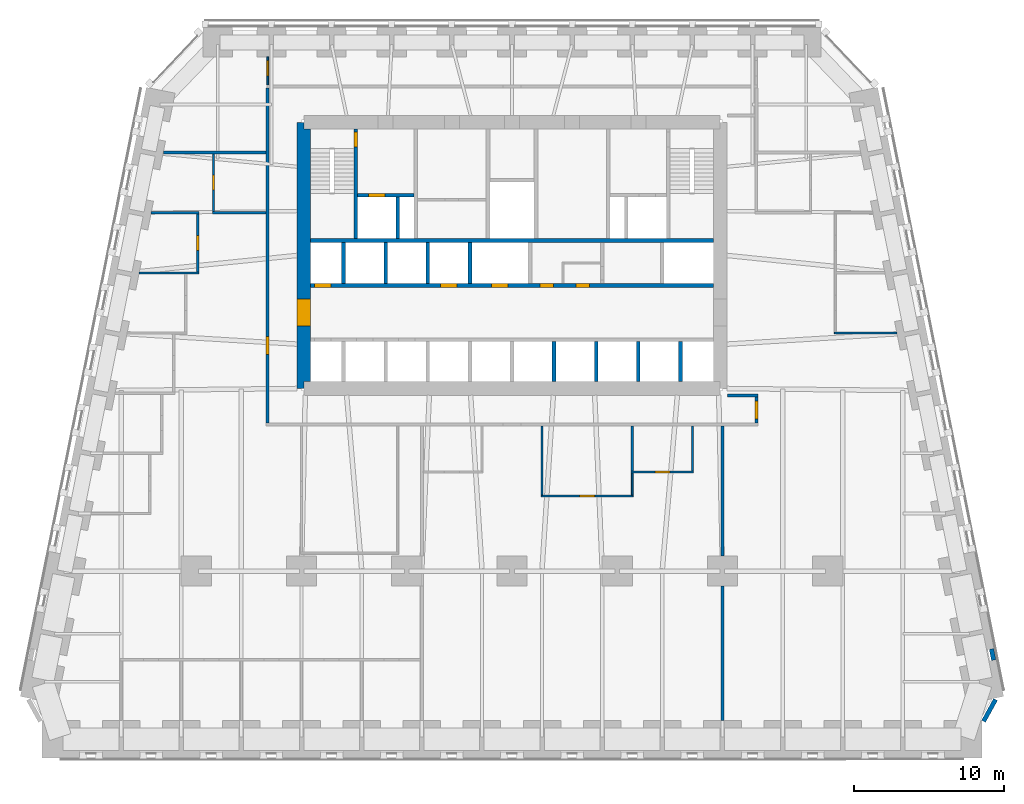
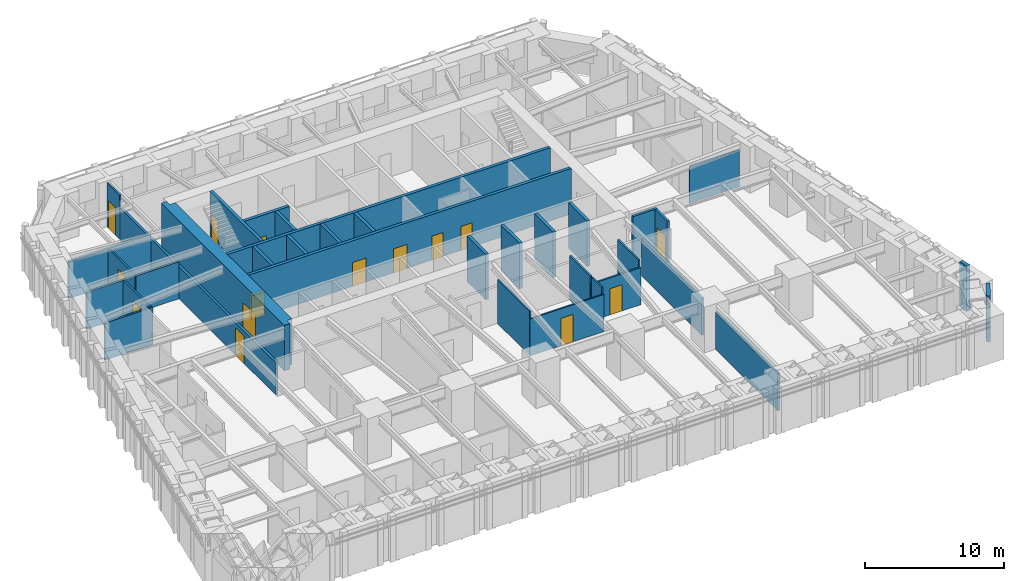
# One storey, part 13 of 17: 35 walls, 15 doors, 15 openings.
"""IFC4 building model written with IfcOpenShell, lengths in metres."""

from ifc_helpers import new_model, si_unit, direction, frame, frame_2d, origin, place, context, subcontext, project, spatial, polyline, rectangle, outline, extrude, material, layer, layer_set, type_object, element, fill, save


model = new_model("IFC4")

# Units and contexts
model_context = context("Model", 3, precision=1e-05, world=origin(), true_north=direction((0.0, 1.0)))
body_context = subcontext(model_context, "Body", "Model", "MODEL_VIEW")
ifc_project = project(units=[si_unit("LENGTHUNIT", "METRE"), si_unit("AREAUNIT", "SQUARE_METRE"), si_unit("VOLUMEUNIT", "CUBIC_METRE"), si_unit("PLANEANGLEUNIT", "RADIAN"), si_unit("MASSUNIT", "GRAM", prefix="KILO")], contexts=[model_context])

# Site, building, storey
site_placement = place(None, origin())
site = spatial("IfcSite", under=ifc_project, at=site_placement, CompositionType="ELEMENT")
building_placement = place(site_placement, origin())
building = spatial("IfcBuilding", under=site, at=building_placement, Name="Isbrekke Arena Tower", CompositionType="ELEMENT")
storey_placement = place(building_placement, frame((0.0, 0.0, 48.0)))
storey = spatial("IfcBuildingStorey", under=building, at=storey_placement, Name="L09", CompositionType="ELEMENT", Elevation=48.0)

# Wall, opening, door
ifc_material_1 = material(Name="Concrete B65 (C65/80)", Category="concrete")
ifc_layer_1 = layer(ifc_material_1, 0.89990234375)
ifc_layer_set_1 = layer_set([ifc_layer_1], Name="CW2 CORE WALL 900")
wall_type_1 = type_object("IfcWallType", Name="CW2 CORE WALL 900", PredefinedType="SHEAR", material=ifc_layer_set_1)
wall_1_placement = place(storey_placement, frame((-13.85009765625, 23.85009765625, 0.0), z_axis=(0.0, 0.0, 1.0), x_axis=(0.0, -1.0, 0.0)))
wall_1 = element("IfcWall", 1, at=wall_1_placement, inside=storey, type_object=wall_type_1, Name="Core wall W L09", PredefinedType="SHEAR", context=body_context, shape_type="SweptSolid", body=[
    extrude(outline(polyline([(0.0, -0.449951171875), (17.7001953125, -0.449951171875), (17.7001953125, 0.0), (17.250244140625, 0.0), (17.250244140625, 0.449951171875), (0.449951171875, 0.449951171875), (0.449951171875, 0.0), (0.0, 0.0), (0.0, -0.449951171875)])), origin(), (0.0, 0.0, 1.0), 4.0),
])
opening_1_placement = place(wall_1_placement, frame((11.75, 0.0, 0.0)))
opening_1 = element("IfcOpeningElement", 2, at=opening_1_placement, cuts=wall_1, Name="Opening D1", PredefinedType="OPENING", context=body_context, shape_type="SweptSolid", body=[
    extrude(rectangle(XDim=1.800048828125, YDim=2.39990234375, at=frame_2d((0.89990234375, 1.199951171875))), frame((0.0, 0.46484375, 0.0), z_axis=(0.0, -1.0, 0.0), x_axis=(1.0, 0.0, 0.0)), (0.0, 0.0, 1.0), 0.9296875),
])
ifc_material_2 = material(Name="Steel-framed glazed fire door", Category="steel")
door_type_1 = type_object("IfcDoorType", Name="D1 CORE LOBBY DOOR 1800 x 2400", OperationType="DOUBLE_DOOR_SINGLE_SWING", PredefinedType="DOOR", material=ifc_material_2)
door_1_placement = place(opening_1_placement, origin())
door_1 = element("IfcDoor", 3, at=door_1_placement, inside=storey, type_object=door_type_1, Name="D1 lift lobby door west L09", OperationType="DOUBLE_DOOR_SINGLE_SWING", OverallHeight=2.39990234375, OverallWidth=1.800048828125, PredefinedType="DOOR", context=body_context, shape_type="SweptSolid", body=[
    extrude(rectangle(XDim=1.800048828125, YDim=2.39990234375, at=frame_2d((0.89990234375, 1.199951171875))), frame((0.0, 0.44970703125, 0.0), z_axis=(0.0, -1.0, 0.0), x_axis=(1.0, 0.0, 0.0)), (0.0, 0.0, 1.0), 0.8994140625),
])
fill(opening_1, door_1)

# Wall, openings, doors
ifc_material_3 = material(Name="Concrete B45 (C45/55)", Category="concrete")
ifc_layer_2 = layer(ifc_material_3, 0.25)
ifc_layer_set_2 = layer_set([ifc_layer_2], Name="CW6 SHAFT WALL 250")
wall_type_2 = type_object("IfcWallType", Name="CW6 SHAFT WALL 250", PredefinedType="SHEAR", material=ifc_layer_set_2)
wall_2_placement = place(storey_placement, frame((-13.39990234375, 13.0, 0.0), z_axis=(0.0, 0.0, 1.0), x_axis=(1.0, 0.0, 0.0)))
wall_2 = element("IfcWall", 4, at=wall_2_placement, inside=storey, type_object=wall_type_2, Name="Core wall LN L09", PredefinedType="SHEAR", context=body_context, shape_type="SweptSolid", body=[
    extrude(rectangle(XDim=26.7998046875, YDim=0.25, at=frame_2d((13.39990234375, 0.0))), origin(), (0.0, 0.0, 1.0), 4.0),
])
opening_2_placement = place(wall_2_placement, frame((0.25, 0.0, 0.0)))
opening_2 = element("IfcOpeningElement", 5, at=opening_2_placement, cuts=wall_2, Name="Opening LD1", PredefinedType="OPENING", context=body_context, shape_type="SweptSolid", body=[
    extrude(rectangle(XDim=1.10009765625, YDim=2.10009765625, at=frame_2d((0.550048828125, 1.050048828125))), frame((0.0, 0.139892578125, 0.0), z_axis=(0.0, -1.0, 0.0), x_axis=(1.0, 0.0, 0.0)), (0.0, 0.0, 1.0), 0.27978515625),
])
opening_3_placement = place(wall_2_placement, frame((8.64990234375, 0.0, 0.0)))
opening_3 = element("IfcOpeningElement", 6, at=opening_3_placement, cuts=wall_2, Name="Opening LD1", PredefinedType="OPENING", context=body_context, shape_type="SweptSolid", body=[
    extrude(rectangle(XDim=1.10009765625, YDim=2.10009765625, at=frame_2d((0.550048828125, 1.050048828125))), frame((0.0, 0.139892578125, 0.0), z_axis=(0.0, -1.0, 0.0), x_axis=(1.0, 0.0, 0.0)), (0.0, 0.0, 1.0), 0.27978515625),
])
opening_4_placement = place(wall_2_placement, frame((12.050048828125, 0.0, 0.0)))
opening_4 = element("IfcOpeningElement", 7, at=opening_4_placement, cuts=wall_2, Name="Opening LD1", PredefinedType="OPENING", context=body_context, shape_type="SweptSolid", body=[
    extrude(rectangle(XDim=1.10009765625, YDim=2.10009765625, at=frame_2d((0.550048828125, 1.050048828125))), frame((0.0, 0.139892578125, 0.0), z_axis=(0.0, -1.0, 0.0), x_axis=(1.0, 0.0, 0.0)), (0.0, 0.0, 1.0), 0.27978515625),
])
opening_5_placement = place(wall_2_placement, frame((15.25, 0.0, 0.0)))
opening_5 = element("IfcOpeningElement", 8, at=opening_5_placement, cuts=wall_2, Name="Opening D5", PredefinedType="OPENING", context=body_context, shape_type="SweptSolid", body=[
    extrude(rectangle(XDim=0.89990234375, YDim=2.10009765625, at=frame_2d((0.449951171875, 1.050048828125))), frame((0.0, 0.139892578125, 0.0), z_axis=(0.0, -1.0, 0.0), x_axis=(1.0, 0.0, 0.0)), (0.0, 0.0, 1.0), 0.27978515625),
])
opening_6_placement = place(wall_2_placement, frame((17.64990234375, 0.0, 0.0)))
opening_6 = element("IfcOpeningElement", 9, at=opening_6_placement, cuts=wall_2, Name="Opening D5", PredefinedType="OPENING", context=body_context, shape_type="SweptSolid", body=[
    extrude(rectangle(XDim=0.89990234375, YDim=2.10009765625, at=frame_2d((0.449951171875, 1.050048828125))), frame((0.0, 0.139892578125, 0.0), z_axis=(0.0, -1.0, 0.0), x_axis=(1.0, 0.0, 0.0)), (0.0, 0.0, 1.0), 0.27978515625),
])
ifc_material_4 = material(Name="Steel fire door", Category="steel")
door_type_2 = type_object("IfcDoorType", Name="D5 SERVICE DOOR 900 x 2100", OperationType="SINGLE_SWING_LEFT", PredefinedType="DOOR", material=ifc_material_4)
door_2_placement = place(opening_5_placement, origin())
door_2 = element("IfcDoor", 10, at=door_2_placement, inside=storey, type_object=door_type_2, Name="D5 communications room door L09", OperationType="SINGLE_SWING_LEFT", OverallHeight=2.10009765625, OverallWidth=0.89990234375, PredefinedType="DOOR", context=body_context, shape_type="SweptSolid", body=[
    extrude(rectangle(XDim=0.89990234375, YDim=2.10009765625, at=frame_2d((0.449951171875, 1.050048828125))), frame((0.0, 0.124755859375, 0.0), z_axis=(0.0, -1.0, 0.0), x_axis=(1.0, 0.0, 0.0)), (0.0, 0.0, 1.0), 0.24951171875),
])
fill(opening_5, door_2)
door_3_placement = place(opening_6_placement, origin())
door_3 = element("IfcDoor", 11, at=door_3_placement, inside=storey, type_object=door_type_2, Name="D5 cleaner's store door L09", OperationType="SINGLE_SWING_LEFT", OverallHeight=2.10009765625, OverallWidth=0.89990234375, PredefinedType="DOOR", context=body_context, shape_type="SweptSolid", body=[
    extrude(rectangle(XDim=0.89990234375, YDim=2.10009765625, at=frame_2d((0.449951171875, 1.050048828125))), frame((0.0, 0.124755859375, 0.0), z_axis=(0.0, -1.0, 0.0), x_axis=(1.0, 0.0, 0.0)), (0.0, 0.0, 1.0), 0.24951171875),
])
fill(opening_6, door_3)
ifc_material_5 = material(Name="Stainless steel lift landing door", Category="steel")
door_type_3 = type_object("IfcDoorType", Name="LD1 LIFT LANDING DOOR 1100 x 2100", OperationType="SLIDING_TO_LEFT", PredefinedType="DOOR", material=ifc_material_5)
door_4_placement = place(opening_2_placement, origin())
door_4 = element("IfcDoor", 12, at=door_4_placement, inside=storey, type_object=door_type_3, Name="LD1 lift landing door LA L09", OperationType="SLIDING_TO_LEFT", OverallHeight=2.10009765625, OverallWidth=1.10009765625, PredefinedType="DOOR", context=body_context, shape_type="SweptSolid", body=[
    extrude(rectangle(XDim=1.10009765625, YDim=2.10009765625, at=frame_2d((0.550048828125, 1.050048828125))), frame((0.0, 0.124755859375, 0.0), z_axis=(0.0, -1.0, 0.0), x_axis=(1.0, 0.0, 0.0)), (0.0, 0.0, 1.0), 0.24951171875),
])
fill(opening_2, door_4)
door_5_placement = place(opening_3_placement, origin())
door_5 = element("IfcDoor", 13, at=door_5_placement, inside=storey, type_object=door_type_3, Name="LD1 lift landing door LA L09", OperationType="SLIDING_TO_LEFT", OverallHeight=2.10009765625, OverallWidth=1.10009765625, PredefinedType="DOOR", context=body_context, shape_type="SweptSolid", body=[
    extrude(rectangle(XDim=1.10009765625, YDim=2.10009765625, at=frame_2d((0.550048828125, 1.050048828125))), frame((0.0, 0.124755859375, 0.0), z_axis=(0.0, -1.0, 0.0), x_axis=(1.0, 0.0, 0.0)), (0.0, 0.0, 1.0), 0.24951171875),
])
fill(opening_3, door_5)
door_6_placement = place(opening_4_placement, origin())
door_6 = element("IfcDoor", 14, at=door_6_placement, inside=storey, type_object=door_type_3, Name="LD1 lift landing door LA L09", OperationType="SLIDING_TO_LEFT", OverallHeight=2.10009765625, OverallWidth=1.10009765625, PredefinedType="DOOR", context=body_context, shape_type="SweptSolid", body=[
    extrude(rectangle(XDim=1.10009765625, YDim=2.10009765625, at=frame_2d((0.550048828125, 1.050048828125))), frame((0.0, 0.124755859375, 0.0), z_axis=(0.0, -1.0, 0.0), x_axis=(1.0, 0.0, 0.0)), (0.0, 0.0, 1.0), 0.24951171875),
])
fill(opening_4, door_6)

# Walls
wall_3_placement = place(storey_placement, frame((-13.39990234375, 16.0, 0.0), z_axis=(0.0, 0.0, 1.0), x_axis=(1.0, 0.0, 0.0)))
element("IfcWall", 15, at=wall_3_placement, inside=storey, type_object=wall_type_2, Name="Core wall NB L09", PredefinedType="SHEAR", context=body_context, shape_type="SweptSolid", body=[
    extrude(rectangle(XDim=26.7998046875, YDim=0.25, at=frame_2d((13.39990234375, 0.0))), origin(), (0.0, 0.0, 1.0), 4.0),
])
for number, where, z_axis, x_axis, name in (
    (16, (2.800048828125, 6.60009765625, 0.0), (0.0, 0.0, 1.0), (0.0, 1.0, 0.0), "Core wall SS06 L09"),
    (17, (5.60009765625, 6.60009765625, 0.0), (0.0, 0.0, 1.0), (0.0, 1.0, 0.0), "Core wall SS07 L09"),
    (18, (8.39990234375, 6.60009765625, 0.0), (0.0, 0.0, 1.0), (0.0, 1.0, 0.0), "Core wall SS08 L09"),
    (19, (11.199951171875, 6.60009765625, 0.0), (0.0, 0.0, 1.0), (0.0, 1.0, 0.0), "Core wall SS09 L09"),
):
    element("IfcWall", number, at=place(storey_placement, frame(where, z_axis=z_axis, x_axis=x_axis)), inside=storey, type_object=wall_type_2, Name=name, PredefinedType="SHEAR", context=body_context, shape_type="SweptSolid", body=[
        extrude(rectangle(XDim=2.6748046875, YDim=0.25, at=frame_2d((1.33740234375, 0.0))), origin(), (0.0, 0.0, 1.0), 4.0),
    ])
for number, where, z_axis, x_axis, name in (
    (20, (-11.199951171875, 13.125, 0.0), (0.0, 0.0, 1.0), (0.0, 1.0, 0.0), "Core wall SN01 L09"),
    (21, (-8.39990234375, 13.125, 0.0), (0.0, 0.0, 1.0), (0.0, 1.0, 0.0), "Core wall SN02 L09"),
    (22, (-5.60009765625, 13.125, 0.0), (0.0, 0.0, 1.0), (0.0, 1.0, 0.0), "Core wall SN03 L09"),
    (23, (-2.800048828125, 13.125, 0.0), (0.0, 0.0, 1.0), (0.0, 1.0, 0.0), "Core wall SN04 L09"),
):
    element("IfcWall", number, at=place(storey_placement, frame(where, z_axis=z_axis, x_axis=x_axis)), inside=storey, type_object=wall_type_2, Name=name, PredefinedType="SHEAR", context=body_context, shape_type="SweptSolid", body=[
        extrude(rectangle(XDim=2.75, YDim=0.25, at=frame_2d((1.375, 0.0))), origin(), (0.0, 0.0, 1.0), 4.0),
    ])

# Wall, opening, door
wall_4_placement = place(storey_placement, frame((-10.39990234375, 16.125, 0.0), z_axis=(0.0, 0.0, 1.0), x_axis=(0.0, 1.0, 0.0)))
wall_4 = element("IfcWall", 24, at=wall_4_placement, inside=storey, type_object=wall_type_2, Name="Core wall NV01 L09", PredefinedType="SHEAR", context=body_context, shape_type="SweptSolid", body=[
    extrude(rectangle(XDim=7.27490234375, YDim=0.25, at=frame_2d((3.637451171875, 0.0))), origin(), (0.0, 0.0, 1.0), 4.0),
])
opening_7_placement = place(wall_4_placement, frame((6.074951171875, 0.0, 0.0)))
opening_7 = element("IfcOpeningElement", 25, at=opening_7_placement, cuts=wall_4, Name="Opening D2", PredefinedType="OPENING", context=body_context, shape_type="SweptSolid", body=[
    extrude(rectangle(XDim=1.0, YDim=2.10009765625, at=frame_2d((0.5, 1.050048828125))), frame((0.0, 0.139892578125, 0.0), z_axis=(0.0, -1.0, 0.0), x_axis=(1.0, 0.0, 0.0)), (0.0, 0.0, 1.0), 0.27978515625),
])
ifc_material_6 = material(Name="Steel fire door", Category="steel")
door_type_4 = type_object("IfcDoorType", Name="D2 STAIR DOOR 1000 x 2100", OperationType="SINGLE_SWING_LEFT", PredefinedType="DOOR", material=ifc_material_6)
door_7_placement = place(opening_7_placement, origin())
door_7 = element("IfcDoor", 26, at=door_7_placement, inside=storey, type_object=door_type_4, Name="D2 stair door ST1 L09", OperationType="SINGLE_SWING_LEFT", OverallHeight=2.10009765625, OverallWidth=1.0, PredefinedType="DOOR", context=body_context, shape_type="SweptSolid", body=[
    extrude(rectangle(XDim=1.0, YDim=2.10009765625, at=frame_2d((0.5, 1.050048828125))), frame((0.0, 0.124755859375, 0.0), z_axis=(0.0, -1.0, 0.0), x_axis=(1.0, 0.0, 0.0)), (0.0, 0.0, 1.0), 0.24951171875),
])
fill(opening_7, door_7)

wall_5_placement = place(storey_placement, frame((-10.27490234375, 19.0, 0.0), z_axis=(0.0, 0.0, 1.0), x_axis=(1.0, 0.0, 0.0)))
wall_5 = element("IfcWall", 27, at=wall_5_placement, inside=storey, type_object=wall_type_2, Name="Core wall NFW L09", PredefinedType="SHEAR", context=body_context, shape_type="SweptSolid", body=[
    extrude(rectangle(XDim=3.75, YDim=0.25, at=frame_2d((1.875, 0.0))), origin(), (0.0, 0.0, 1.0), 4.0),
])
opening_8_placement = place(wall_5_placement, frame((0.72509765625, 0.0, 0.0)))
opening_8 = element("IfcOpeningElement", 28, at=opening_8_placement, cuts=wall_5, Name="Opening LD2", PredefinedType="OPENING", context=body_context, shape_type="SweptSolid", body=[
    extrude(rectangle(XDim=1.10009765625, YDim=2.10009765625, at=frame_2d((0.550048828125, 1.050048828125))), frame((0.0, 0.139892578125, 0.0), z_axis=(0.0, -1.0, 0.0), x_axis=(1.0, 0.0, 0.0)), (0.0, 0.0, 1.0), 0.27978515625),
])
ifc_material_7 = material(Name="Stainless steel lift landing door", Category="steel")
door_type_5 = type_object("IfcDoorType", Name="LD2 FIRE-FIGHTING LIFT LANDING DOOR 1100 x 2100", OperationType="SLIDING_TO_RIGHT", PredefinedType="DOOR", material=ifc_material_7)
door_8_placement = place(opening_8_placement, origin())
door_8 = element("IfcDoor", 29, at=door_8_placement, inside=storey, type_object=door_type_5, Name="LD2 lift landing door LF L09", OperationType="SLIDING_TO_RIGHT", OverallHeight=2.10009765625, OverallWidth=1.10009765625, PredefinedType="DOOR", context=body_context, shape_type="SweptSolid", body=[
    extrude(rectangle(XDim=1.10009765625, YDim=2.10009765625, at=frame_2d((0.550048828125, 1.050048828125))), frame((0.0, 0.124755859375, 0.0), z_axis=(0.0, -1.0, 0.0), x_axis=(1.0, 0.0, 0.0)), (0.0, 0.0, 1.0), 0.24951171875),
])
fill(opening_8, door_8)

# Walls
wall_6_placement = place(storey_placement, frame((-7.60009765625, 16.125, 0.0), z_axis=(0.0, 0.0, 1.0), x_axis=(0.0, 1.0, 0.0)))
element("IfcWall", 30, at=wall_6_placement, inside=storey, type_object=wall_type_2, Name="Core wall NFS1 L09", PredefinedType="SHEAR", context=body_context, shape_type="SweptSolid", body=[
    extrude(rectangle(XDim=2.75, YDim=0.25, at=frame_2d((1.375, 0.0))), origin(), (0.0, 0.0, 1.0), 4.0),
])
ifc_material_8 = material(Name="Insulated aluminium panel on steel framing", Category="steel")
ifc_layer_3 = layer(ifc_material_8, 0.300048828125)
ifc_layer_set_3 = layer_set([ifc_layer_3], Name="EW4 INSULATED PANEL WALL 300")
wall_type_3 = type_object("IfcWallType", Name="EW4 INSULATED PANEL WALL 300", PredefinedType="SOLIDWALL", material=ifc_layer_set_3)
wall_7_placement = place(storey_placement, frame((31.36328125, -15.98828125, 0.0), z_axis=(0.0, 0.0, 1.0), x_axis=(0.481879089964, 0.876237720402, 0.0)))
element("IfcWall", 31, at=wall_7_placement, inside=storey, type_object=wall_type_3, Name="EW4 corner closure panel L09-SE", PredefinedType="SOLIDWALL", context=body_context, shape_type="SweptSolid", body=[
    extrude(rectangle(XDim=1.654296875, YDim=0.300048828125, at=frame_2d((0.8271484375, 0.0))), origin(), (0.0, 0.0, 1.0), 4.0),
])
wall_8_placement = place(storey_placement, frame((32.0380859375, -11.916259765625, 0.0), z_axis=(0.0, 0.0, 1.0), x_axis=(-0.195867092459, 0.980630451338, 0.0)))
element("IfcWall", 32, at=wall_8_placement, inside=storey, type_object=wall_type_3, Name="EW4 closure panel L09-E 1", PredefinedType="SOLIDWALL", context=body_context, shape_type="SweptSolid", body=[
    extrude(rectangle(XDim=0.754150390625, YDim=0.300048828125, at=frame_2d((0.376953125, 0.0))), origin(), (0.0, 0.0, 1.0), 4.0),
])

# Wall, opening, door
ifc_material_9 = material(Name="Gypsum board partition on steel studs", Category="steel")
ifc_layer_4 = layer(ifc_material_9, 0.14990234375)
ifc_layer_set_4 = layer_set([ifc_layer_4], Name="IW1 PARTITION 150")
wall_type_4 = type_object("IfcWallType", Name="IW1 PARTITION 150", PredefinedType="PARTITIONING", material=ifc_layer_set_4)
wall_9_placement = place(storey_placement, frame((7.925048828125, 0.60009765625, 0.0), z_axis=(0.0, 0.0, 1.0), x_axis=(1.0, 0.0, 0.0)))
wall_9 = element("IfcWall", 33, at=wall_9_placement, inside=storey, type_object=wall_type_4, Name="IW1 partition 150 L09", PredefinedType="PARTITIONING", context=body_context, shape_type="SweptSolid", body=[
    extrude(rectangle(XDim=4.14990234375, YDim=0.14990234375, at=frame_2d((2.074951171875, 0.0))), origin(), (0.0, 0.0, 1.0), 3.25),
])
opening_9_placement = place(wall_9_placement, frame((1.574951171875, 0.0, 0.0)))
opening_9 = element("IfcOpeningElement", 34, at=opening_9_placement, cuts=wall_9, Name="Opening D10", PredefinedType="OPENING", context=body_context, shape_type="SweptSolid", body=[
    extrude(rectangle(XDim=1.0, YDim=2.300048828125, at=frame_2d((0.5, 1.14990234375))), frame((0.0, 0.08984375, 0.0), z_axis=(0.0, -1.0, 0.0), x_axis=(1.0, 0.0, 0.0)), (0.0, 0.0, 1.0), 0.1796875),
])
ifc_material_10 = material(Name="Timber door", Category="wood")
door_type_6 = type_object("IfcDoorType", Name="D10 OFFICE DOOR 1000 x 2300", OperationType="SINGLE_SWING_LEFT", PredefinedType="DOOR", material=ifc_material_10)
door_9_placement = place(opening_9_placement, origin())
door_9 = element("IfcDoor", 35, at=door_9_placement, inside=storey, type_object=door_type_6, Name="D10 pantry door L09", OperationType="SINGLE_SWING_LEFT", OverallHeight=2.300048828125, OverallWidth=1.0, PredefinedType="DOOR", context=body_context, shape_type="SweptSolid", body=[
    extrude(rectangle(XDim=1.0, YDim=2.300048828125, at=frame_2d((0.5, 1.14990234375))), frame((0.0, 0.07470703125, 0.0), z_axis=(0.0, -1.0, 0.0), x_axis=(1.0, 0.0, 0.0)), (0.0, 0.0, 1.0), 0.1494140625),
])
fill(opening_9, door_9)

# Walls
wall_10_placement = place(storey_placement, frame((-24.79638671875, 13.840087890625, 0.0), z_axis=(0.0, 0.0, 1.0), x_axis=(1.0, 0.0, 0.0)))
element("IfcWall", 36, at=wall_10_placement, inside=storey, type_object=wall_type_4, Name="IW1 partition 150 L09", PredefinedType="PARTITIONING", context=body_context, shape_type="SweptSolid", body=[
    extrude(rectangle(XDim=3.971435546875, YDim=0.14990234375, at=frame_2d((1.98583984375, 0.0))), origin(), (0.0, 0.0, 1.0), 3.25),
])
wall_11_placement = place(storey_placement, frame((-23.996337890625, 17.840087890625, 0.0), z_axis=(0.0, 0.0, 1.0), x_axis=(1.0, 0.0, 0.0)))
element("IfcWall", 37, at=wall_11_placement, inside=storey, type_object=wall_type_4, Name="IW1 partition 150 L09", PredefinedType="PARTITIONING", context=body_context, shape_type="SweptSolid", body=[
    extrude(rectangle(XDim=3.17138671875, YDim=0.14990234375, at=frame_2d((1.585693359375, 0.0))), origin(), (0.0, 0.0, 1.0), 3.25),
])
wall_12_placement = place(storey_placement, frame((-19.925048828125, 17.840087890625, 0.0), z_axis=(0.0, 0.0, 1.0), x_axis=(1.0, 0.0, 0.0)))
element("IfcWall", 38, at=wall_12_placement, inside=storey, type_object=wall_type_4, Name="IW1 partition 150 L09", PredefinedType="PARTITIONING", context=body_context, shape_type="SweptSolid", body=[
    extrude(rectangle(XDim=3.574951171875, YDim=0.14990234375, at=frame_2d((1.78759765625, 0.0))), origin(), (0.0, 0.0, 1.0), 3.25),
])

# Wall, opening, door
wall_13_placement = place(storey_placement, frame((-20.89990234375, 13.9150390625, 0.0), z_axis=(0.0, 0.0, 1.0), x_axis=(0.0, 1.0, 0.0)))
wall_13 = element("IfcWall", 39, at=wall_13_placement, inside=storey, type_object=wall_type_4, Name="IW1 partition 150 L09", PredefinedType="PARTITIONING", context=body_context, shape_type="SweptSolid", body=[
    extrude(rectangle(XDim=3.849853515625, YDim=0.14990234375, at=frame_2d((1.9248046875, 0.0))), origin(), (0.0, 0.0, 1.0), 3.25),
])
opening_10_placement = place(wall_13_placement, frame((1.425048828125, 0.0, 0.0)))
opening_10 = element("IfcOpeningElement", 40, at=opening_10_placement, cuts=wall_13, Name="Opening D10", PredefinedType="OPENING", context=body_context, shape_type="SweptSolid", body=[
    extrude(rectangle(XDim=1.0, YDim=2.300048828125, at=frame_2d((0.5, 1.14990234375))), frame((0.0, 0.08984375, 0.0), z_axis=(0.0, -1.0, 0.0), x_axis=(1.0, 0.0, 0.0)), (0.0, 0.0, 1.0), 0.1796875),
])
door_10_placement = place(opening_10_placement, origin())
door_10 = element("IfcDoor", 41, at=door_10_placement, inside=storey, type_object=door_type_6, Name="D10 office door L09", OperationType="SINGLE_SWING_LEFT", OverallHeight=2.300048828125, OverallWidth=1.0, PredefinedType="DOOR", context=body_context, shape_type="SweptSolid", body=[
    extrude(rectangle(XDim=1.0, YDim=2.300048828125, at=frame_2d((0.5, 1.14990234375))), frame((0.0, 0.07470703125, 0.0), z_axis=(0.0, -1.0, 0.0), x_axis=(1.0, 0.0, 0.0)), (0.0, 0.0, 1.0), 0.1494140625),
])
fill(opening_10, door_10)

wall_14_placement = place(storey_placement, frame((-19.85009765625, 17.9150390625, 0.0), z_axis=(0.0, 0.0, 1.0), x_axis=(0.0, 1.0, 0.0)))
wall_14 = element("IfcWall", 42, at=wall_14_placement, inside=storey, type_object=wall_type_4, Name="IW1 partition 150 L09", PredefinedType="PARTITIONING", context=body_context, shape_type="SweptSolid", body=[
    extrude(rectangle(XDim=3.824951171875, YDim=0.14990234375, at=frame_2d((1.91259765625, 0.0))), origin(), (0.0, 0.0, 1.0), 3.25),
])
opening_11_placement = place(wall_14_placement, frame((1.425048828125, 0.0, 0.0)))
opening_11 = element("IfcOpeningElement", 43, at=opening_11_placement, cuts=wall_14, Name="Opening D10", PredefinedType="OPENING", context=body_context, shape_type="SweptSolid", body=[
    extrude(rectangle(XDim=1.0, YDim=2.300048828125, at=frame_2d((0.5, 1.14990234375))), frame((0.0, 0.08984375, 0.0), z_axis=(0.0, -1.0, 0.0), x_axis=(1.0, 0.0, 0.0)), (0.0, 0.0, 1.0), 0.1796875),
])
door_11_placement = place(opening_11_placement, origin())
door_11 = element("IfcDoor", 44, at=door_11_placement, inside=storey, type_object=door_type_6, Name="D10 pantry door L09", OperationType="SINGLE_SWING_LEFT", OverallHeight=2.300048828125, OverallWidth=1.0, PredefinedType="DOOR", context=body_context, shape_type="SweptSolid", body=[
    extrude(rectangle(XDim=1.0, YDim=2.300048828125, at=frame_2d((0.5, 1.14990234375))), frame((0.0, 0.07470703125, 0.0), z_axis=(0.0, -1.0, 0.0), x_axis=(1.0, 0.0, 0.0)), (0.0, 0.0, 1.0), 0.1494140625),
])
fill(opening_11, door_11)

# Walls
for number, where, z_axis, x_axis, name in (
    (45, (8.0, 0.675048828125, 0.0), (0.0, 0.0, 1.0), (0.0, 1.0, 0.0), "IW1 partition 150 L09"),
    (46, (12.0, 0.675048828125, 0.0), (0.0, 0.0, 1.0), (0.0, 1.0, 0.0), "IW1 partition 150 L09"),
):
    element("IfcWall", number, at=place(storey_placement, frame(where, z_axis=z_axis, x_axis=x_axis)), inside=storey, type_object=wall_type_4, Name=name, PredefinedType="PARTITIONING", context=body_context, shape_type="SweptSolid", body=[
        extrude(rectangle(XDim=2.974853515625, YDim=0.14990234375, at=frame_2d((1.4873046875, 0.0))), origin(), (0.0, 0.0, 1.0), 3.85009765625),
    ])

# Wall, opening, door
ifc_material_11 = material(Name="Frameless glazed partition, laminated acoustic glass", Category="glass")
ifc_layer_5 = layer(ifc_material_11, 0.1201171875)
ifc_layer_set_5 = layer_set([ifc_layer_5], Name="IW2 GLAZED PARTITION 120")
wall_type_5 = type_object("IfcWallType", Name="IW2 GLAZED PARTITION 120", PredefinedType="PARTITIONING", material=ifc_layer_set_5)
wall_15_placement = place(storey_placement, frame((1.93994140625, -1.0, 0.0), z_axis=(0.0, 0.0, 1.0), x_axis=(1.0, 0.0, 0.0)))
wall_15 = element("IfcWall", 47, at=wall_15_placement, inside=storey, type_object=wall_type_5, Name="IW2 glazed partition 120 L09", PredefinedType="PARTITIONING", context=body_context, shape_type="SweptSolid", body=[
    extrude(rectangle(XDim=6.1201171875, YDim=0.1201171875, at=frame_2d((3.06005859375, 0.0))), origin(), (0.0, 0.0, 1.0), 3.25),
])
opening_12_placement = place(wall_15_placement, frame((2.56005859375, 0.0, 0.0)))
opening_12 = element("IfcOpeningElement", 48, at=opening_12_placement, cuts=wall_15, Name="Opening D11", PredefinedType="OPENING", context=body_context, shape_type="SweptSolid", body=[
    extrude(rectangle(XDim=1.0, YDim=2.39990234375, at=frame_2d((0.5, 1.199951171875))), frame((0.0, 0.074951171875, 0.0), z_axis=(0.0, -1.0, 0.0), x_axis=(1.0, 0.0, 0.0)), (0.0, 0.0, 1.0), 0.14990234375),
])
ifc_material_12 = material(Name="Frameless glazed door", Category="glass")
door_type_7 = type_object("IfcDoorType", Name="D11 GLAZED MEETING ROOM DOOR 1000 x 2400", OperationType="SINGLE_SWING_RIGHT", PredefinedType="DOOR", material=ifc_material_12)
door_12_placement = place(opening_12_placement, origin())
door_12 = element("IfcDoor", 49, at=door_12_placement, inside=storey, type_object=door_type_7, Name="D11 meeting room door L09", OperationType="SINGLE_SWING_RIGHT", OverallHeight=2.39990234375, OverallWidth=1.0, PredefinedType="DOOR", context=body_context, shape_type="SweptSolid", body=[
    extrude(rectangle(XDim=1.0, YDim=2.39990234375, at=frame_2d((0.5, 1.199951171875))), frame((0.0, 0.059814453125, 0.0), z_axis=(0.0, -1.0, 0.0), x_axis=(1.0, 0.0, 0.0)), (0.0, 0.0, 1.0), 0.11962890625),
])
fill(opening_12, door_12)

# Wall
wall_16_placement = place(storey_placement, frame((21.43994140625, 9.840087890625, 0.0), z_axis=(0.0, 0.0, 1.0), x_axis=(1.0, 0.0, 0.0)))
element("IfcWall", 50, at=wall_16_placement, inside=storey, type_object=wall_type_5, Name="IW2 glazed partition 120 L09", PredefinedType="PARTITIONING", context=body_context, shape_type="SweptSolid", body=[
    extrude(rectangle(XDim=4.156494140625, YDim=0.1201171875, at=frame_2d((2.078125, 0.0))), origin(), (0.0, 0.0, 1.0), 3.25),
])

# Wall, opening, door
wall_17_placement = place(storey_placement, frame((-16.25, 26.35009765625, 0.0), z_axis=(0.0, 0.0, 1.0), x_axis=(0.0, 1.0, 0.0)))
wall_17 = element("IfcWall", 51, at=wall_17_placement, inside=storey, type_object=wall_type_5, Name="IW2 glazed partition 120 L09", PredefinedType="PARTITIONING", context=body_context, shape_type="SweptSolid", body=[
    extrude(rectangle(XDim=1.849853515625, YDim=0.1201171875, at=frame_2d((0.9248046875, 0.0))), origin(), (0.0, 0.0, 1.0), 3.85009765625),
])
opening_13_placement = place(wall_17_placement, frame((0.60009765625, 0.0, 0.0)))
opening_13 = element("IfcOpeningElement", 52, at=opening_13_placement, cuts=wall_17, Name="Opening D11", PredefinedType="OPENING", context=body_context, shape_type="SweptSolid", body=[
    extrude(rectangle(XDim=1.0, YDim=2.39990234375, at=frame_2d((0.5, 1.199951171875))), frame((0.0, 0.074951171875, 0.0), z_axis=(0.0, -1.0, 0.0), x_axis=(1.0, 0.0, 0.0)), (0.0, 0.0, 1.0), 0.14990234375),
])
door_13_placement = place(opening_13_placement, origin())
door_13 = element("IfcDoor", 53, at=door_13_placement, inside=storey, type_object=door_type_7, Name="D11 meeting room door L09", OperationType="SINGLE_SWING_RIGHT", OverallHeight=2.39990234375, OverallWidth=1.0, PredefinedType="DOOR", context=body_context, shape_type="SweptSolid", body=[
    extrude(rectangle(XDim=1.0, YDim=2.39990234375, at=frame_2d((0.5, 1.199951171875))), frame((0.0, 0.059814453125, 0.0), z_axis=(0.0, -1.0, 0.0), x_axis=(1.0, 0.0, 0.0)), (0.0, 0.0, 1.0), 0.11962890625),
])
fill(opening_13, door_13)

# Walls
wall_18_placement = place(storey_placement, frame((2.0, -0.93994140625, 0.0), z_axis=(0.0, 0.0, 1.0), x_axis=(0.0, 1.0, 0.0)))
element("IfcWall", 54, at=wall_18_placement, inside=storey, type_object=wall_type_5, Name="IW2 glazed partition 120 L09", PredefinedType="PARTITIONING", context=body_context, shape_type="SweptSolid", body=[
    extrude(rectangle(XDim=4.58984375, YDim=0.1201171875, at=frame_2d((2.294921875, 0.0))), origin(), (0.0, 0.0, 1.0), 3.85009765625),
])
wall_19_placement = place(storey_placement, frame((8.0, -0.93994140625, 0.0), z_axis=(0.0, 0.0, 1.0), x_axis=(0.0, 1.0, 0.0)))
element("IfcWall", 55, at=wall_19_placement, inside=storey, type_object=wall_type_5, Name="IW2 glazed partition 120 L09", PredefinedType="PARTITIONING", context=body_context, shape_type="SweptSolid", body=[
    extrude(rectangle(XDim=1.46484375, YDim=0.1201171875, at=frame_2d((0.732421875, 0.0))), origin(), (0.0, 0.0, 1.0), 3.85009765625),
])
ifc_material_13 = material(Name="Gypsum board fire-cell wall on steel studs, two layers each side", Category="steel")
ifc_layer_6 = layer(ifc_material_13, 0.199951171875)
ifc_layer_set_6 = layer_set([ifc_layer_6], Name="IW3 FIRE-CELL WALL 200")
wall_type_6 = type_object("IfcWallType", Name="IW3 FIRE-CELL WALL 200", PredefinedType="PARTITIONING", material=ifc_layer_set_6)
wall_20_placement = place(storey_placement, frame((14.330078125, 5.699951171875, 0.0), z_axis=(0.0, 0.0, 1.0), x_axis=(1.0, 0.0, 0.0)))
element("IfcWall", 56, at=wall_20_placement, inside=storey, type_object=wall_type_6, Name="IW3 fire-cell wall 200 L09", PredefinedType="PARTITIONING", context=body_context, shape_type="SweptSolid", body=[
    extrude(rectangle(XDim=2.02001953125, YDim=0.199951171875, at=frame_2d((1.010009765625, 0.0))), origin(), (0.0, 0.0, 1.0), 3.85009765625),
])
wall_21_placement = place(storey_placement, frame((-23.1962890625, 21.840087890625, 0.0), z_axis=(0.0, 0.0, 1.0), x_axis=(1.0, 0.0, 0.0)))
element("IfcWall", 57, at=wall_21_placement, inside=storey, type_object=wall_type_6, Name="IW3 fire-cell wall 200 L09", PredefinedType="PARTITIONING", context=body_context, shape_type="SweptSolid", body=[
    extrude(rectangle(XDim=6.84619140625, YDim=0.199951171875, at=frame_2d((3.423095703125, 0.0))), origin(), (0.0, 0.0, 1.0), 3.25),
])

# Wall, opening, door
wall_22_placement = place(storey_placement, frame((-16.25, 3.85009765625, 0.0), z_axis=(0.0, 0.0, 1.0), x_axis=(0.0, 1.0, 0.0)))
wall_22 = element("IfcWall", 58, at=wall_22_placement, inside=storey, type_object=wall_type_6, Name="IW3 fire-cell wall 200 L09", PredefinedType="PARTITIONING", context=body_context, shape_type="SweptSolid", body=[
    extrude(rectangle(XDim=22.2998046875, YDim=0.199951171875, at=frame_2d((11.14990234375, 0.0))), origin(), (0.0, 0.0, 1.0), 2.842041015625),
])
opening_14_placement = place(wall_22_placement, frame((4.550048828125, 0.0, 0.0)))
opening_14 = element("IfcOpeningElement", 59, at=opening_14_placement, cuts=wall_22, Name="Opening D12", PredefinedType="OPENING", context=body_context, shape_type="SweptSolid", body=[
    extrude(rectangle(XDim=1.199951171875, YDim=2.39990234375, at=frame_2d((0.60009765625, 1.199951171875))), frame((0.0, 0.11474609375, 0.0), z_axis=(0.0, -1.0, 0.0), x_axis=(1.0, 0.0, 0.0)), (0.0, 0.0, 1.0), 0.229736328125),
])
ifc_material_14 = material(Name="Timber fire door with vision panel", Category="wood")
door_type_8 = type_object("IfcDoorType", Name="D12 SUITE ENTRANCE DOOR 1200 x 2400", OperationType="SINGLE_SWING_LEFT", PredefinedType="DOOR", material=ifc_material_14)
door_14_placement = place(opening_14_placement, origin())
door_14 = element("IfcDoor", 60, at=door_14_placement, inside=storey, type_object=door_type_8, Name="D12 suite entrance W door L09", OperationType="SINGLE_SWING_LEFT", OverallHeight=2.39990234375, OverallWidth=1.199951171875, PredefinedType="DOOR", context=body_context, shape_type="SweptSolid", body=[
    extrude(rectangle(XDim=1.199951171875, YDim=2.39990234375, at=frame_2d((0.60009765625, 1.199951171875))), frame((0.0, 0.099609375, 0.0), z_axis=(0.0, -1.0, 0.0), x_axis=(1.0, 0.0, 0.0)), (0.0, 0.0, 1.0), 0.199462890625),
])
fill(opening_14, door_14)

# Walls
wall_23_placement = place(storey_placement, frame((14.0, -15.925048828125, 0.0), z_axis=(0.0, 0.0, 1.0), x_axis=(0.0, 1.0, 0.0)))
element("IfcWall", 61, at=wall_23_placement, inside=storey, type_object=wall_type_6, Name="IW3 fire-cell wall 200 L09", PredefinedType="PARTITIONING", context=body_context, shape_type="SweptSolid", body=[
    extrude(rectangle(XDim=8.925048828125, YDim=0.199951171875, at=frame_2d((4.46240234375, 0.0))), origin(), (0.0, 0.0, 1.0), 3.25),
])
wall_24_placement = place(storey_placement, frame((14.0, -5.0, 0.0), z_axis=(0.0, 0.0, 1.0), x_axis=(0.0, 1.0, 0.0)))
element("IfcWall", 62, at=wall_24_placement, inside=storey, type_object=wall_type_6, Name="IW3 fire-cell wall 200 L09", PredefinedType="PARTITIONING", context=body_context, shape_type="SweptSolid", body=[
    extrude(rectangle(XDim=8.64990234375, YDim=0.199951171875, at=frame_2d((4.324951171875, 0.0))), origin(), (0.0, 0.0, 1.0), 3.25),
])

# Wall, opening, door
wall_25_placement = place(storey_placement, frame((16.25, 3.85009765625, 0.0), z_axis=(0.0, 0.0, 1.0), x_axis=(0.0, 1.0, 0.0)))
wall_25 = element("IfcWall", 63, at=wall_25_placement, inside=storey, type_object=wall_type_6, Name="IW3 fire-cell wall 200 L09", PredefinedType="PARTITIONING", context=body_context, shape_type="SweptSolid", body=[
    extrude(rectangle(XDim=1.75, YDim=0.199951171875, at=frame_2d((0.875, 0.0))), origin(), (0.0, 0.0, 1.0), 3.85009765625),
])
opening_15_placement = place(wall_25_placement, frame((0.27001953125, 0.0, 0.0)))
opening_15 = element("IfcOpeningElement", 64, at=opening_15_placement, cuts=wall_25, Name="Opening D12", PredefinedType="OPENING", context=body_context, shape_type="SweptSolid", body=[
    extrude(rectangle(XDim=1.199951171875, YDim=2.39990234375, at=frame_2d((0.60009765625, 1.199951171875))), frame((0.0, 0.11474609375, 0.0), z_axis=(0.0, -1.0, 0.0), x_axis=(1.0, 0.0, 0.0)), (0.0, 0.0, 1.0), 0.229736328125),
])
door_15_placement = place(opening_15_placement, origin())
door_15 = element("IfcDoor", 65, at=door_15_placement, inside=storey, type_object=door_type_8, Name="D12 suite entrance E door L09", OperationType="SINGLE_SWING_LEFT", OverallHeight=2.39990234375, OverallWidth=1.199951171875, PredefinedType="DOOR", context=body_context, shape_type="SweptSolid", body=[
    extrude(rectangle(XDim=1.199951171875, YDim=2.39990234375, at=frame_2d((0.60009765625, 1.199951171875))), frame((0.0, 0.099609375, 0.0), z_axis=(0.0, -1.0, 0.0), x_axis=(1.0, 0.0, 0.0)), (0.0, 0.0, 1.0), 0.199462890625),
])
fill(opening_15, door_15)

save(model, "model.ifc")
